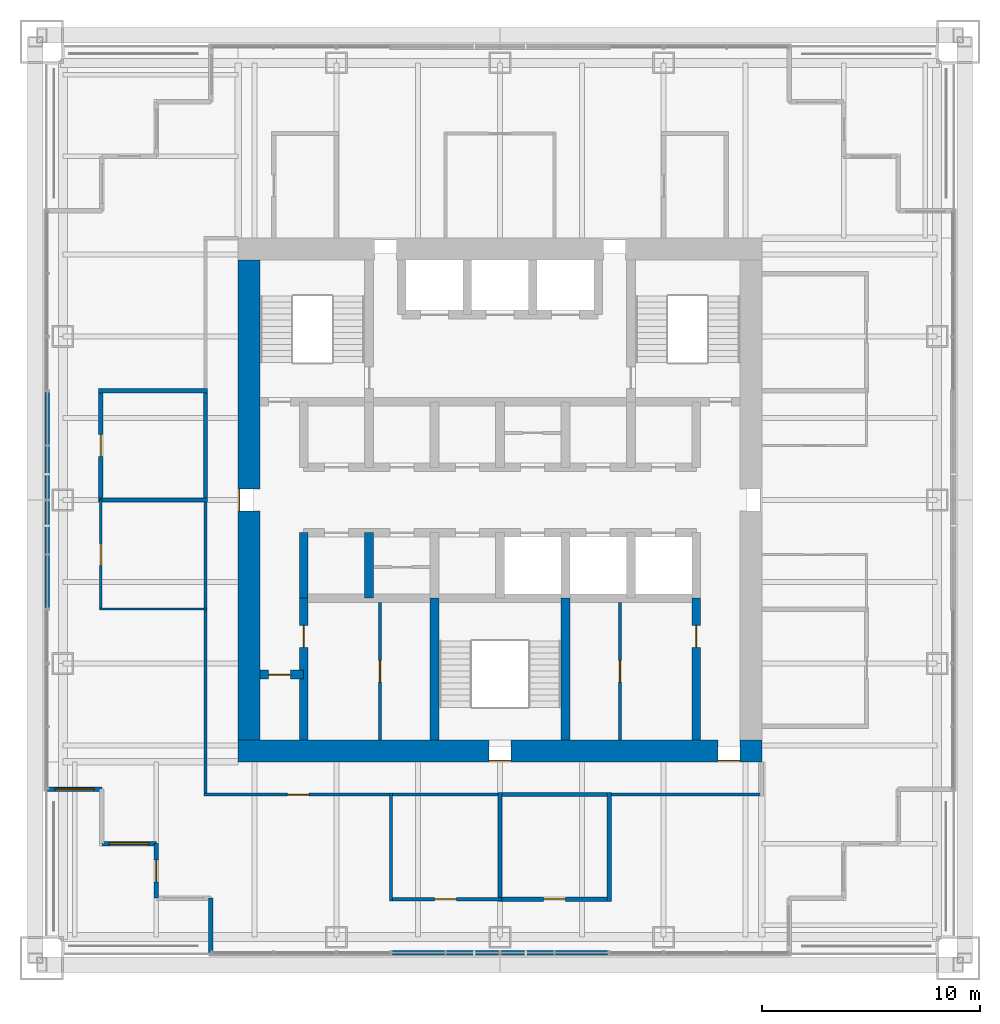
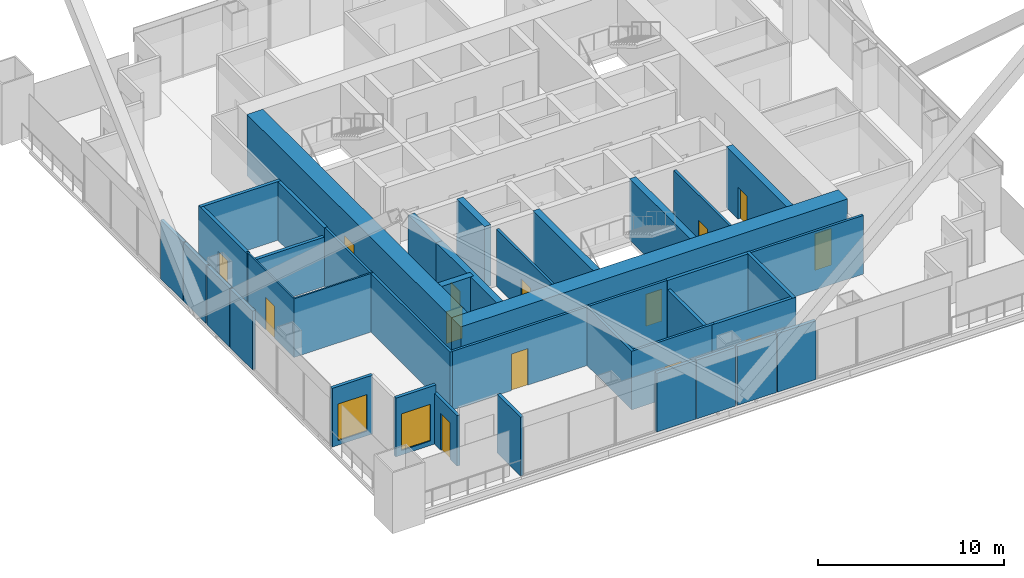
# One storey, part 12 of 17: 38 walls, 14 doors, 2 windows, 16 openings.
"""IFC4 building model written with IfcOpenShell, lengths in metres."""

from ifc_helpers import new_model, si_unit, direction, frame, frame_2d, origin, place, context, subcontext, project, spatial, rectangle, extrude, material, layer, layer_set, type_object, element, fill, save


model = new_model("IFC4")

# Units and contexts
model_context = context("Model", 3, precision=1e-05, world=origin(), true_north=direction((0.0, 1.0)))
body_context = subcontext(model_context, "Body", "Model", "MODEL_VIEW")
ifc_project = project(units=[si_unit("LENGTHUNIT", "METRE"), si_unit("AREAUNIT", "SQUARE_METRE"), si_unit("VOLUMEUNIT", "CUBIC_METRE"), si_unit("PLANEANGLEUNIT", "RADIAN"), si_unit("MASSUNIT", "GRAM", prefix="KILO")], contexts=[model_context])

# Site, building, storey
site_placement = place(None, origin())
site = spatial("IfcSite", under=ifc_project, at=site_placement, CompositionType="ELEMENT")
building_placement = place(site_placement, origin())
building = spatial("IfcBuilding", under=site, at=building_placement, Name="Tarangal Relay Tower", CompositionType="ELEMENT")
storey_placement = place(building_placement, frame((0.0, 0.0, 315.89990234375)))
storey = spatial("IfcBuildingStorey", under=building, at=storey_placement, Name="L70", CompositionType="ELEMENT", Elevation=315.89990234375)

# Wall, opening, door
ifc_material_1 = material(Name="Two layers gypsum board each side on twin steel studs, mineral wool", Category="steel")
ifc_layer_1 = layer(ifc_material_1, 0.199951171875)
ifc_layer_set_1 = layer_set([ifc_layer_1], Name="Acoustic partition 200")
wall_type_1 = type_object("IfcWallType", Name="Acoustic partition 200", PredefinedType="PARTITIONING", material=ifc_layer_set_1)
wall_1_placement = place(storey_placement, frame((-0.10009765625, -18.300048828125, 0.0), z_axis=(0.0, 0.0, 1.0), x_axis=(1.0, 0.0, 0.0)))
wall_1 = element("IfcWall", 1, at=wall_1_placement, inside=storey, type_object=wall_type_1, Name="Partition PT2 L70", PredefinedType="PARTITIONING", context=body_context, shape_type="SweptSolid", body=[
    extrude(rectangle(XDim=5.2001953125, YDim=0.199951171875, at=frame_2d((2.60009765625, 0.0))), origin(), (0.0, 0.0, 1.0), 3.85009765625),
])
opening_1_placement = place(wall_1_placement, frame((2.10009765625, 0.0, 0.0)))
opening_1 = element("IfcOpeningElement", 2, at=opening_1_placement, cuts=wall_1, Name="Opening D2", PredefinedType="OPENING", context=body_context, shape_type="SweptSolid", body=[
    extrude(rectangle(XDim=1.0, YDim=2.10009765625, at=frame_2d((0.5, 1.050048828125))), frame((0.0, 0.10986328125, 0.0), z_axis=(0.0, -1.0, 0.0), x_axis=(1.0, 0.0, 0.0)), (0.0, 0.0, 1.0), 0.219970703125),
])
ifc_material_2 = material(Name="Hardwood door", Category="wood")
door_type_1 = type_object("IfcDoorType", Name="Door 1000 x 2100", OperationType="SINGLE_SWING_LEFT", PredefinedType="DOOR", material=ifc_material_2)
door_1_placement = place(opening_1_placement, origin())
door_1 = element("IfcDoor", 3, at=door_1_placement, inside=storey, type_object=door_type_1, Name="Door D2 to quiet room L70-09", OperationType="SINGLE_SWING_LEFT", OverallHeight=2.10009765625, OverallWidth=1.0, PredefinedType="DOOR", context=body_context, shape_type="SweptSolid", body=[
    extrude(rectangle(XDim=1.0, YDim=2.10009765625, at=frame_2d((0.5, 1.050048828125))), frame((0.0, 0.02490234375, 0.0), z_axis=(0.0, -1.0, 0.0), x_axis=(1.0, 0.0, 0.0)), (0.0, 0.0, 1.0), 0.050048828125),
])
fill(opening_1, door_1)

# Walls
wall_2_placement = place(storey_placement, frame((-0.10009765625, -13.5, 0.0), z_axis=(0.0, 0.0, 1.0), x_axis=(1.0, 0.0, 0.0)))
element("IfcWall", 4, at=wall_2_placement, inside=storey, type_object=wall_type_1, Name="Partition PT2 L70", PredefinedType="PARTITIONING", context=body_context, shape_type="SweptSolid", body=[
    extrude(rectangle(XDim=5.2001953125, YDim=0.199951171875, at=frame_2d((2.60009765625, 0.0))), origin(), (0.0, 0.0, 1.0), 3.85009765625),
])
wall_3_placement = place(storey_placement, frame((-18.39990234375, 0.0, 0.0), z_axis=(0.0, 0.0, 1.0), x_axis=(1.0, 0.0, 0.0)))
element("IfcWall", 5, at=wall_3_placement, inside=storey, type_object=wall_type_1, Name="Partition PT2 L70", PredefinedType="PARTITIONING", context=body_context, shape_type="SweptSolid", body=[
    extrude(rectangle(XDim=5.0, YDim=0.199951171875, at=frame_2d((2.5, 0.0))), origin(), (0.0, 0.0, 1.0), 3.2431640625),
])
wall_4_placement = place(storey_placement, frame((-18.39990234375, 5.0, 0.0), z_axis=(0.0, 0.0, 1.0), x_axis=(1.0, 0.0, 0.0)))
element("IfcWall", 6, at=wall_4_placement, inside=storey, type_object=wall_type_1, Name="Partition PT2 L70", PredefinedType="PARTITIONING", context=body_context, shape_type="SweptSolid", body=[
    extrude(rectangle(XDim=5.0, YDim=0.199951171875, at=frame_2d((2.5, 0.0))), origin(), (0.0, 0.0, 1.0), 3.85009765625),
])

# Wall, opening, door
wall_5_placement = place(storey_placement, frame((-18.300048828125, -0.10009765625, 0.0), z_axis=(0.0, 0.0, 1.0), x_axis=(0.0, 1.0, 0.0)))
wall_5 = element("IfcWall", 7, at=wall_5_placement, inside=storey, type_object=wall_type_1, Name="Partition PT2 L70", PredefinedType="PARTITIONING", context=body_context, shape_type="SweptSolid", body=[
    extrude(rectangle(XDim=5.2001953125, YDim=0.199951171875, at=frame_2d((2.60009765625, 0.0))), origin(), (0.0, 0.0, 1.0), 3.85009765625),
])
opening_2_placement = place(wall_5_placement, frame((2.10009765625, 0.0, 0.0)))
opening_2 = element("IfcOpeningElement", 8, at=opening_2_placement, cuts=wall_5, Name="Opening D2", PredefinedType="OPENING", context=body_context, shape_type="SweptSolid", body=[
    extrude(rectangle(XDim=1.0, YDim=2.10009765625, at=frame_2d((0.5, 1.050048828125))), frame((0.0, 0.10986328125, 0.0), z_axis=(0.0, -1.0, 0.0), x_axis=(1.0, 0.0, 0.0)), (0.0, 0.0, 1.0), 0.219970703125),
])
door_2_placement = place(opening_2_placement, origin())
door_2 = element("IfcDoor", 9, at=door_2_placement, inside=storey, type_object=door_type_1, Name="Door D2 to wellness room L70-12", OperationType="SINGLE_SWING_LEFT", OverallHeight=2.10009765625, OverallWidth=1.0, PredefinedType="DOOR", context=body_context, shape_type="SweptSolid", body=[
    extrude(rectangle(XDim=1.0, YDim=2.10009765625, at=frame_2d((0.5, 1.050048828125))), frame((0.0, 0.02490234375, 0.0), z_axis=(0.0, -1.0, 0.0), x_axis=(1.0, 0.0, 0.0)), (0.0, 0.0, 1.0), 0.050048828125),
])
fill(opening_2, door_2)

# Walls
wall_6_placement = place(storey_placement, frame((-13.5, -0.10009765625, 0.0), z_axis=(0.0, 0.0, 1.0), x_axis=(0.0, 1.0, 0.0)))
element("IfcWall", 10, at=wall_6_placement, inside=storey, type_object=wall_type_1, Name="Partition PT2 L70", PredefinedType="PARTITIONING", context=body_context, shape_type="SweptSolid", body=[
    extrude(rectangle(XDim=5.2001953125, YDim=0.199951171875, at=frame_2d((2.60009765625, 0.0))), origin(), (0.0, 0.0, 1.0), 3.85009765625),
])
wall_7_placement = place(storey_placement, frame((0.0, -18.39990234375, 0.0), z_axis=(0.0, 0.0, 1.0), x_axis=(0.0, 1.0, 0.0)))
element("IfcWall", 11, at=wall_7_placement, inside=storey, type_object=wall_type_1, Name="Partition PT2 L70", PredefinedType="PARTITIONING", context=body_context, shape_type="SweptSolid", body=[
    extrude(rectangle(XDim=5.0, YDim=0.199951171875, at=frame_2d((2.5, 0.0))), origin(), (0.0, 0.0, 1.0), 3.2431640625),
])
wall_8_placement = place(storey_placement, frame((5.0, -18.39990234375, 0.0), z_axis=(0.0, 0.0, 1.0), x_axis=(0.0, 1.0, 0.0)))
element("IfcWall", 12, at=wall_8_placement, inside=storey, type_object=wall_type_1, Name="Partition PT2 L70", PredefinedType="PARTITIONING", context=body_context, shape_type="SweptSolid", body=[
    extrude(rectangle(XDim=5.0, YDim=0.199951171875, at=frame_2d((2.5, 0.0))), origin(), (0.0, 0.0, 1.0), 3.85009765625),
])

# Wall, opening, door
ifc_material_3 = material(Name="Concrete fc' 60 MPa", Category="concrete")
ifc_layer_2 = layer(ifc_material_3, 0.39990234375)
ifc_layer_set_2 = layer_set([ifc_layer_2], Name="Core inner wall 400")
wall_type_2 = type_object("IfcWallType", Name="Core inner wall 400", PredefinedType="SHEAR", material=ifc_layer_set_2)
wall_9_placement = place(storey_placement, frame((-11.0, -8.0, 0.0), z_axis=(0.0, 0.0, 1.0), x_axis=(1.0, 0.0, 0.0)))
wall_9 = element("IfcWall", 13, at=wall_9_placement, inside=storey, type_object=wall_type_2, Name="Core wall YM8 L70", PredefinedType="SHEAR", context=body_context, shape_type="SweptSolid", body=[
    extrude(rectangle(XDim=2.0, YDim=0.39990234375, at=frame_2d((1.0, 0.0))), origin(), (0.0, 0.0, 1.0), 4.0),
])
opening_3_placement = place(wall_9_placement, frame((0.39990234375, 0.0, 0.0)))
opening_3 = element("IfcOpeningElement", 14, at=opening_3_placement, cuts=wall_9, Name="Opening D1", PredefinedType="OPENING", context=body_context, shape_type="SweptSolid", body=[
    extrude(rectangle(XDim=1.0, YDim=2.10009765625, at=frame_2d((0.5, 1.050048828125))), frame((0.0, 0.2099609375, 0.0), z_axis=(0.0, -1.0, 0.0), x_axis=(1.0, 0.0, 0.0)), (0.0, 0.0, 1.0), 0.419921875),
])
door_type_2 = type_object("IfcDoorType", Name="WC door 1000 x 2100", OperationType="SINGLE_SWING_LEFT", PredefinedType="DOOR", material=ifc_material_2)
door_3_placement = place(opening_3_placement, origin())
door_3 = element("IfcDoor", 15, at=door_3_placement, inside=storey, type_object=door_type_2, Name="Accessible WC door L70", OperationType="SINGLE_SWING_LEFT", OverallHeight=2.10009765625, OverallWidth=1.0, PredefinedType="DOOR", context=body_context, shape_type="SweptSolid", body=[
    extrude(rectangle(XDim=1.0, YDim=2.10009765625, at=frame_2d((0.5, 1.050048828125))), frame((0.0, 0.02490234375, 0.0), z_axis=(0.0, -1.0, 0.0), x_axis=(1.0, 0.0, 0.0)), (0.0, 0.0, 1.0), 0.050048828125),
])
fill(opening_3, door_3)

# Walls
for number, where, z_axis, x_axis, name in (
    (16, (-9.0, -4.5, 0.0), (0.0, 0.0, 1.0), (0.0, 1.0, 0.0), "Core wall XM9S L70"),
    (17, (-6.0, -4.5, 0.0), (0.0, 0.0, 1.0), (0.0, 1.0, 0.0), "Core wall XM6S L70"),
):
    element("IfcWall", number, at=place(storey_placement, frame(where, z_axis=z_axis, x_axis=x_axis)), inside=storey, type_object=wall_type_2, Name=name, PredefinedType="SHEAR", context=body_context, shape_type="SweptSolid", body=[
        extrude(rectangle(XDim=3.0, YDim=0.39990234375, at=frame_2d((1.5, 0.0))), origin(), (0.0, 0.0, 1.0), 4.0),
    ])

# Wall, opening, door
wall_10_placement = place(storey_placement, frame((-9.0, -11.0, 0.0), z_axis=(0.0, 0.0, 1.0), x_axis=(0.0, 1.0, 0.0)))
wall_10 = element("IfcWall", 18, at=wall_10_placement, inside=storey, type_object=wall_type_2, Name="Core wall XM9W L70", PredefinedType="SHEAR", context=body_context, shape_type="SweptSolid", body=[
    extrude(rectangle(XDim=6.5, YDim=0.39990234375, at=frame_2d((3.25, 0.0))), origin(), (0.0, 0.0, 1.0), 4.0),
])
opening_4_placement = place(wall_10_placement, frame((4.25, 0.0, 0.0)))
opening_4 = element("IfcOpeningElement", 19, at=opening_4_placement, cuts=wall_10, Name="Opening D1", PredefinedType="OPENING", context=body_context, shape_type="SweptSolid", body=[
    extrude(rectangle(XDim=1.0, YDim=2.10009765625, at=frame_2d((0.5, 1.050048828125))), frame((0.0, 0.2099609375, 0.0), z_axis=(0.0, -1.0, 0.0), x_axis=(1.0, 0.0, 0.0)), (0.0, 0.0, 1.0), 0.419921875),
])
door_4_placement = place(opening_4_placement, origin())
door_4 = element("IfcDoor", 20, at=door_4_placement, inside=storey, type_object=door_type_2, Name="Male WC door L70", OperationType="SINGLE_SWING_LEFT", OverallHeight=2.10009765625, OverallWidth=1.0, PredefinedType="DOOR", context=body_context, shape_type="SweptSolid", body=[
    extrude(rectangle(XDim=1.0, YDim=2.10009765625, at=frame_2d((0.5, 1.050048828125))), frame((0.0, 0.02490234375, 0.0), z_axis=(0.0, -1.0, 0.0), x_axis=(1.0, 0.0, 0.0)), (0.0, 0.0, 1.0), 0.050048828125),
])
fill(opening_4, door_4)

wall_11_placement = place(storey_placement, frame((9.0, -11.0, 0.0), z_axis=(0.0, 0.0, 1.0), x_axis=(0.0, 1.0, 0.0)))
wall_11 = element("IfcWall", 21, at=wall_11_placement, inside=storey, type_object=wall_type_2, Name="Core wall X9W L70", PredefinedType="SHEAR", context=body_context, shape_type="SweptSolid", body=[
    extrude(rectangle(XDim=6.5, YDim=0.39990234375, at=frame_2d((3.25, 0.0))), origin(), (0.0, 0.0, 1.0), 4.0),
])
opening_5_placement = place(wall_11_placement, frame((4.25, 0.0, 0.0)))
opening_5 = element("IfcOpeningElement", 22, at=opening_5_placement, cuts=wall_11, Name="Opening D1", PredefinedType="OPENING", context=body_context, shape_type="SweptSolid", body=[
    extrude(rectangle(XDim=1.0, YDim=2.10009765625, at=frame_2d((0.5, 1.050048828125))), frame((0.0, 0.2099609375, 0.0), z_axis=(0.0, -1.0, 0.0), x_axis=(1.0, 0.0, 0.0)), (0.0, 0.0, 1.0), 0.419921875),
])
door_5_placement = place(opening_5_placement, origin())
door_5 = element("IfcDoor", 23, at=door_5_placement, inside=storey, type_object=door_type_2, Name="Female WC door L70", OperationType="SINGLE_SWING_LEFT", OverallHeight=2.10009765625, OverallWidth=1.0, PredefinedType="DOOR", context=body_context, shape_type="SweptSolid", body=[
    extrude(rectangle(XDim=1.0, YDim=2.10009765625, at=frame_2d((0.5, 1.050048828125))), frame((0.0, 0.02490234375, 0.0), z_axis=(0.0, -1.0, 0.0), x_axis=(1.0, 0.0, 0.0)), (0.0, 0.0, 1.0), 0.050048828125),
])
fill(opening_5, door_5)

# Walls
for number, where, z_axis, x_axis, name in (
    (24, (-3.0, -11.0, 0.0), (0.0, 0.0, 1.0), (0.0, 1.0, 0.0), "Core wall XM3W L70"),
    (25, (3.0, -11.0, 0.0), (0.0, 0.0, 1.0), (0.0, 1.0, 0.0), "Core wall X3W L70"),
):
    element("IfcWall", number, at=place(storey_placement, frame(where, z_axis=z_axis, x_axis=x_axis)), inside=storey, type_object=wall_type_2, Name=name, PredefinedType="SHEAR", context=body_context, shape_type="SweptSolid", body=[
        extrude(rectangle(XDim=6.5, YDim=0.39990234375, at=frame_2d((3.25, 0.0))), origin(), (0.0, 0.0, 1.0), 4.0),
    ])

# Wall, openings, doors
ifc_layer_3 = layer(ifc_material_3, 1.0)
ifc_layer_set_3 = layer_set([ifc_layer_3], Name="Core wall 1000")
wall_type_3 = type_object("IfcWallType", Name="Core wall 1000", PredefinedType="SHEAR", material=ifc_layer_set_3)
wall_12_placement = place(storey_placement, frame((12.0, -11.5, 0.0), z_axis=(0.0, 0.0, 1.0), x_axis=(-1.0, 0.0, 0.0)))
wall_12 = element("IfcWall", 26, at=wall_12_placement, inside=storey, type_object=wall_type_3, Name="Core wall S L70", PredefinedType="SHEAR", context=body_context, shape_type="SweptSolid", body=[
    extrude(rectangle(XDim=24.0, YDim=1.0, at=frame_2d((12.0, 0.0))), origin(), (0.0, 0.0, 1.0), 4.0),
])
opening_6_placement = place(wall_12_placement, frame((11.5, 0.0, 0.0)))
opening_6 = element("IfcOpeningElement", 27, at=opening_6_placement, cuts=wall_12, Name="Opening FD1", PredefinedType="OPENING", context=body_context, shape_type="SweptSolid", body=[
    extrude(rectangle(XDim=1.0, YDim=2.10009765625, at=frame_2d((0.5, 1.050048828125))), frame((0.0, 0.510009765625, 0.0), z_axis=(0.0, -1.0, 0.0), x_axis=(1.0, 0.0, 0.0)), (0.0, 0.0, 1.0), 1.02001953125),
])
opening_7_placement = place(wall_12_placement, frame((1.0, 0.0, 0.0)))
opening_7 = element("IfcOpeningElement", 28, at=opening_7_placement, cuts=wall_12, Name="Opening FD3", PredefinedType="OPENING", context=body_context, shape_type="SweptSolid", body=[
    extrude(rectangle(XDim=1.0, YDim=2.39990234375, at=frame_2d((0.5, 1.199951171875))), frame((0.0, 0.510009765625, 0.0), z_axis=(0.0, -1.0, 0.0), x_axis=(1.0, 0.0, 0.0)), (0.0, 0.0, 1.0), 1.02001953125),
])
ifc_material_4 = material(Name="Steel door with hardwood frame", Category="steel")
door_type_3 = type_object("IfcDoorType", Name="Fire door 1000 x 2100", OperationType="SINGLE_SWING_LEFT", PredefinedType="DOOR", material=ifc_material_4)
door_6_placement = place(opening_6_placement, origin())
door_6 = element("IfcDoor", 29, at=door_6_placement, inside=storey, type_object=door_type_3, Name="Stair ST-C door L70", OperationType="SINGLE_SWING_LEFT", OverallHeight=2.10009765625, OverallWidth=1.0, PredefinedType="DOOR", context=body_context, shape_type="SweptSolid", body=[
    extrude(rectangle(XDim=1.0, YDim=2.10009765625, at=frame_2d((0.5, 1.050048828125))), frame((0.0, 0.48486328125, 0.0), z_axis=(0.0, -1.0, 0.0), x_axis=(1.0, 0.0, 0.0)), (0.0, 0.0, 1.0), 0.050048828125),
])
fill(opening_6, door_6)
door_type_4 = type_object("IfcDoorType", Name="Fire door 1000 x 2400 core entry", OperationType="SINGLE_SWING_RIGHT", PredefinedType="DOOR", material=ifc_material_4)
door_7_placement = place(opening_7_placement, origin())
door_7 = element("IfcDoor", 30, at=door_7_placement, inside=storey, type_object=door_type_4, Name="Core entry door south east L70", OperationType="SINGLE_SWING_RIGHT", OverallHeight=2.39990234375, OverallWidth=1.0, PredefinedType="DOOR", context=body_context, shape_type="SweptSolid", body=[
    extrude(rectangle(XDim=1.0, YDim=2.39990234375, at=frame_2d((0.5, 1.199951171875))), frame((0.0, 0.48486328125, 0.0), z_axis=(0.0, -1.0, 0.0), x_axis=(1.0, 0.0, 0.0)), (0.0, 0.0, 1.0), 0.050048828125),
])
fill(opening_7, door_7)

# Wall, opening, door
wall_13_placement = place(storey_placement, frame((-11.5, -11.0, 0.0), z_axis=(0.0, 0.0, 1.0), x_axis=(0.0, 1.0, 0.0)))
wall_13 = element("IfcWall", 31, at=wall_13_placement, inside=storey, type_object=wall_type_3, Name="Core wall W L70", PredefinedType="SHEAR", context=body_context, shape_type="SweptSolid", body=[
    extrude(rectangle(XDim=22.0, YDim=1.0, at=frame_2d((11.0, 0.0))), origin(), (0.0, 0.0, 1.0), 4.0),
])
opening_8_placement = place(wall_13_placement, frame((10.5, 0.0, 0.0)))
opening_8 = element("IfcOpeningElement", 32, at=opening_8_placement, cuts=wall_13, Name="Opening FD3", PredefinedType="OPENING", context=body_context, shape_type="SweptSolid", body=[
    extrude(rectangle(XDim=1.0, YDim=2.39990234375, at=frame_2d((0.5, 1.199951171875))), frame((0.0, 0.510009765625, 0.0), z_axis=(0.0, -1.0, 0.0), x_axis=(1.0, 0.0, 0.0)), (0.0, 0.0, 1.0), 1.02001953125),
])
door_8_placement = place(opening_8_placement, origin())
door_8 = element("IfcDoor", 33, at=door_8_placement, inside=storey, type_object=door_type_4, Name="Core entry door west L70", OperationType="SINGLE_SWING_RIGHT", OverallHeight=2.39990234375, OverallWidth=1.0, PredefinedType="DOOR", context=body_context, shape_type="SweptSolid", body=[
    extrude(rectangle(XDim=1.0, YDim=2.39990234375, at=frame_2d((0.5, 1.199951171875))), frame((0.0, 0.48486328125, 0.0), z_axis=(0.0, -1.0, 0.0), x_axis=(1.0, 0.0, 0.0)), (0.0, 0.0, 1.0), 0.050048828125),
])
fill(opening_8, door_8)

# Wall
ifc_material_5 = material(Name="Black metal clad insulated wall", Category="steel")
ifc_layer_4 = layer(ifc_material_5, 0.199951171875)
ifc_layer_set_4 = layer_set([ifc_layer_4], Name="Corner wall metal clad 200")
wall_type_4 = type_object("IfcWallType", Name="Corner wall metal clad 200", PredefinedType="SOLIDWALL", material=ifc_layer_set_4)
wall_14_placement = place(storey_placement, frame((-13.25, -20.75, 0.0), z_axis=(0.0, 0.0, 1.0), x_axis=(0.0, 1.0, 0.0)))
element("IfcWall", 34, at=wall_14_placement, inside=storey, type_object=wall_type_4, Name="Facade wall S facade L70", PredefinedType="SOLIDWALL", context=body_context, shape_type="SweptSolid", body=[
    extrude(rectangle(XDim=2.5, YDim=0.199951171875, at=frame_2d((1.25, 0.0))), origin(), (0.0, 0.0, 1.0), 3.85009765625),
])

# Wall, opening, door
wall_15_placement = place(storey_placement, frame((-15.75, -18.25, 0.0), z_axis=(0.0, 0.0, 1.0), x_axis=(0.0, 1.0, 0.0)))
wall_15 = element("IfcWall", 35, at=wall_15_placement, inside=storey, type_object=wall_type_4, Name="Facade wall S facade L70", PredefinedType="SOLIDWALL", context=body_context, shape_type="SweptSolid", body=[
    extrude(rectangle(XDim=2.5, YDim=0.199951171875, at=frame_2d((1.25, 0.0))), origin(), (0.0, 0.0, 1.0), 3.316650390625),
])
opening_9_placement = place(wall_15_placement, frame((0.75, 0.0, 0.0)))
opening_9 = element("IfcOpeningElement", 36, at=opening_9_placement, cuts=wall_15, Name="Opening TD1", PredefinedType="OPENING", context=body_context, shape_type="SweptSolid", body=[
    extrude(rectangle(XDim=1.0, YDim=2.39990234375, at=frame_2d((0.5, 1.199951171875))), frame((0.0, 0.10986328125, 0.0), z_axis=(0.0, -1.0, 0.0), x_axis=(1.0, 0.0, 0.0)), (0.0, 0.0, 1.0), 0.219970703125),
])
ifc_material_6 = material(Name="Aluminium glazed door", Category="aluminium")
door_type_5 = type_object("IfcDoorType", Name="Terrace door 1000 x 2400", OperationType="SINGLE_SWING_RIGHT", PredefinedType="DOOR", material=ifc_material_6)
door_9_placement = place(opening_9_placement, origin())
door_9 = element("IfcDoor", 37, at=door_9_placement, inside=storey, type_object=door_type_5, Name="Terrace door TD1 SW L70", OperationType="SINGLE_SWING_RIGHT", OverallHeight=2.39990234375, OverallWidth=1.0, PredefinedType="DOOR", context=body_context, shape_type="SweptSolid", body=[
    extrude(rectangle(XDim=1.0, YDim=2.39990234375, at=frame_2d((0.5, 1.199951171875))), frame((0.0, 0.02490234375, 0.0), z_axis=(0.0, -1.0, 0.0), x_axis=(1.0, 0.0, 0.0)), (0.0, 0.0, 1.0), 0.050048828125),
])
fill(opening_9, door_9)

# Wall, opening, window
wall_16_placement = place(storey_placement, frame((-15.75, -15.75, 0.0), z_axis=(0.0, 0.0, 1.0), x_axis=(-1.0, 0.0, 0.0)))
wall_16 = element("IfcWall", 38, at=wall_16_placement, inside=storey, type_object=wall_type_4, Name="Facade wall S facade L70", PredefinedType="SOLIDWALL", context=body_context, shape_type="SweptSolid", body=[
    extrude(rectangle(XDim=2.5, YDim=0.199951171875, at=frame_2d((1.25, 0.0))), origin(), (0.0, 0.0, 1.0), 3.85009765625),
])
opening_10_placement = place(wall_16_placement, frame((0.35009765625, 0.0, 0.300048828125)))
opening_10 = element("IfcOpeningElement", 39, at=opening_10_placement, cuts=wall_16, Name="Opening WN2", PredefinedType="OPENING", context=body_context, shape_type="SweptSolid", body=[
    extrude(rectangle(XDim=1.800048828125, YDim=2.39990234375, at=frame_2d((0.89990234375, 1.199951171875))), frame((0.0, 0.10986328125, 0.0), z_axis=(0.0, -1.0, 0.0), x_axis=(1.0, 0.0, 0.0)), (0.0, 0.0, 1.0), 0.219970703125),
])
ifc_material_7 = material(Name="Dark tinted double glazing in black aluminium frame", Category="aluminium")
window_type = type_object("IfcWindowType", Name="Corner window 1800 x 2400", PartitioningType="SINGLE_PANEL", PredefinedType="WINDOW", material=ifc_material_7)
window_1_placement = place(opening_10_placement, origin())
window_1 = element("IfcWindow", 40, at=window_1_placement, inside=storey, type_object=window_type, Name="Corner window WN2 S facade L70", OverallHeight=2.39990234375, OverallWidth=1.800048828125, PartitioningType="SINGLE_PANEL", PredefinedType="WINDOW", context=body_context, shape_type="SweptSolid", body=[
    extrude(rectangle(XDim=1.800048828125, YDim=2.39990234375, at=frame_2d((0.89990234375, 1.199951171875))), frame((0.0, 0.030029296875, 0.0), z_axis=(0.0, -1.0, 0.0), x_axis=(1.0, 0.0, 0.0)), (0.0, 0.0, 1.0), 0.06005859375),
])
fill(opening_10, window_1)

wall_17_placement = place(storey_placement, frame((-18.25, -13.25, 0.0), z_axis=(0.0, 0.0, 1.0), x_axis=(-1.0, 0.0, 0.0)))
wall_17 = element("IfcWall", 41, at=wall_17_placement, inside=storey, type_object=wall_type_4, Name="Facade wall S facade L70", PredefinedType="SOLIDWALL", context=body_context, shape_type="SweptSolid", body=[
    extrude(rectangle(XDim=2.5, YDim=0.199951171875, at=frame_2d((1.25, 0.0))), origin(), (0.0, 0.0, 1.0), 3.85009765625),
])
opening_11_placement = place(wall_17_placement, frame((0.35009765625, 0.0, 0.300048828125)))
opening_11 = element("IfcOpeningElement", 42, at=opening_11_placement, cuts=wall_17, Name="Opening WN2", PredefinedType="OPENING", context=body_context, shape_type="SweptSolid", body=[
    extrude(rectangle(XDim=1.800048828125, YDim=2.39990234375, at=frame_2d((0.89990234375, 1.199951171875))), frame((0.0, 0.10986328125, 0.0), z_axis=(0.0, -1.0, 0.0), x_axis=(1.0, 0.0, 0.0)), (0.0, 0.0, 1.0), 0.219970703125),
])
window_2_placement = place(opening_11_placement, origin())
window_2 = element("IfcWindow", 43, at=window_2_placement, inside=storey, type_object=window_type, Name="Corner window WN2 S facade L70", OverallHeight=2.39990234375, OverallWidth=1.800048828125, PartitioningType="SINGLE_PANEL", PredefinedType="WINDOW", context=body_context, shape_type="SweptSolid", body=[
    extrude(rectangle(XDim=1.800048828125, YDim=2.39990234375, at=frame_2d((0.89990234375, 1.199951171875))), frame((0.0, 0.030029296875, 0.0), z_axis=(0.0, -1.0, 0.0), x_axis=(1.0, 0.0, 0.0)), (0.0, 0.0, 1.0), 0.06005859375),
])
fill(opening_11, window_2)

# Walls
ifc_layer_5 = layer(ifc_material_5, 0.199951171875)
ifc_layer_set_5 = layer_set([ifc_layer_5], Name="Facade infill wall metal clad 200")
wall_type_5 = type_object("IfcWallType", Name="Facade infill wall metal clad 200", PredefinedType="SOLIDWALL", material=ifc_layer_set_5)
for number, where, z_axis, x_axis, name in (
    (44, (4.93994140625, -20.75, 0.0), (0.0, 0.0, 1.0), (-1.0, 0.0, 0.0), "Facade infill wall S facade L70 1.1"),
    (45, (2.469970703125, -20.75, 0.0), (0.0, 0.0, 1.0), (-1.0, 0.0, 0.0), "Facade infill wall S facade L70 2.1"),
    (46, (-0.06005859375, -20.75, 0.0), (0.0, 0.0, 1.0), (-1.0, 0.0, 0.0), "Facade infill wall S facade L70 1.1"),
    (47, (-2.530029296875, -20.75, 0.0), (0.0, 0.0, 1.0), (-1.0, 0.0, 0.0), "Facade infill wall S facade L70 2.1"),
    (48, (-20.75, -4.93994140625, 0.0), (0.0, 0.0, 1.0), (0.0, 1.0, 0.0), "Facade infill wall W facade L70 1.1"),
    (49, (-20.75, -2.469970703125, 0.0), (0.0, 0.0, 1.0), (0.0, 1.0, 0.0), "Facade infill wall W facade L70 2.1"),
    (50, (-20.75, 0.06005859375, 0.0), (0.0, 0.0, 1.0), (0.0, 1.0, 0.0), "Facade infill wall W facade L70 1.1"),
    (51, (-20.75, 2.530029296875, 0.0), (0.0, 0.0, 1.0), (0.0, 1.0, 0.0), "Facade infill wall W facade L70 2.1"),
):
    element("IfcWall", number, at=place(storey_placement, frame(where, z_axis=z_axis, x_axis=x_axis)), inside=storey, type_object=wall_type_5, Name=name, PredefinedType="SOLIDWALL", context=body_context, shape_type="SweptSolid", body=[
        extrude(rectangle(XDim=2.409912109375, YDim=0.199951171875, at=frame_2d((1.205078125, 0.0))), origin(), (0.0, 0.0, 1.0), 3.85009765625),
    ])
ifc_material_8 = material(Name="Double glazed aluminium framed partition", Category="aluminium")
ifc_layer_6 = layer(ifc_material_8, 0.10009765625)
ifc_layer_set_6 = layer_set([ifc_layer_6], Name="Glazed partition 100")
wall_type_6 = type_object("IfcWallType", Name="Glazed partition 100", PredefinedType="PARTITIONING", material=ifc_layer_set_6)
wall_18_placement = place(storey_placement, frame((-18.35009765625, -5.0, 0.0), z_axis=(0.0, 0.0, 1.0), x_axis=(1.0, 0.0, 0.0)))
element("IfcWall", 52, at=wall_18_placement, inside=storey, type_object=wall_type_6, Name="Partition PT3 L70", PredefinedType="PARTITIONING", context=body_context, shape_type="SweptSolid", body=[
    extrude(rectangle(XDim=4.900146484375, YDim=0.10009765625, at=frame_2d((2.4501953125, 0.0))), origin(), (0.0, 0.0, 1.0), 3.85009765625),
])

# Wall, opening, door
wall_19_placement = place(storey_placement, frame((-18.300048828125, -5.050048828125, 0.0), z_axis=(0.0, 0.0, 1.0), x_axis=(0.0, 1.0, 0.0)))
wall_19 = element("IfcWall", 53, at=wall_19_placement, inside=storey, type_object=wall_type_6, Name="Partition PT3 L70", PredefinedType="PARTITIONING", context=body_context, shape_type="SweptSolid", body=[
    extrude(rectangle(XDim=5.10009765625, YDim=0.10009765625, at=frame_2d((2.550048828125, 0.0))), origin(), (0.0, 0.0, 1.0), 3.85009765625),
])
opening_12_placement = place(wall_19_placement, frame((2.050048828125, 0.0, 0.0)))
opening_12 = element("IfcOpeningElement", 54, at=opening_12_placement, cuts=wall_19, Name="Opening D3", PredefinedType="OPENING", context=body_context, shape_type="SweptSolid", body=[
    extrude(rectangle(XDim=1.0, YDim=2.10009765625, at=frame_2d((0.5, 1.050048828125))), frame((0.0, 0.06005859375, 0.0), z_axis=(0.0, -1.0, 0.0), x_axis=(1.0, 0.0, 0.0)), (0.0, 0.0, 1.0), 0.1201171875),
])
ifc_material_9 = material(Name="Frameless glass door", Category="glass")
door_type_6 = type_object("IfcDoorType", Name="Glazed door 1000 x 2100", OperationType="SINGLE_SWING_LEFT", PredefinedType="DOOR", material=ifc_material_9)
door_10_placement = place(opening_12_placement, origin())
door_10 = element("IfcDoor", 55, at=door_10_placement, inside=storey, type_object=door_type_6, Name="Door D3 to team room L70-11", OperationType="SINGLE_SWING_LEFT", OverallHeight=2.10009765625, OverallWidth=1.0, PredefinedType="DOOR", context=body_context, shape_type="SweptSolid", body=[
    extrude(rectangle(XDim=1.0, YDim=2.10009765625, at=frame_2d((0.5, 1.050048828125))), frame((0.0, 0.02490234375, 0.0), z_axis=(0.0, -1.0, 0.0), x_axis=(1.0, 0.0, 0.0)), (0.0, 0.0, 1.0), 0.050048828125),
])
fill(opening_12, door_10)

ifc_material_10 = material(Name="Gypsum board on steel studs", Category="steel")
ifc_layer_7 = layer(ifc_material_10, 0.14990234375)
ifc_layer_set_7 = layer_set([ifc_layer_7], Name="Partition 150")
wall_type_7 = type_object("IfcWallType", Name="Partition 150", PredefinedType="PARTITIONING", material=ifc_layer_set_7)
wall_20_placement = place(storey_placement, frame((-5.074951171875, -18.300048828125, 0.0), z_axis=(0.0, 0.0, 1.0), x_axis=(1.0, 0.0, 0.0)))
wall_20 = element("IfcWall", 56, at=wall_20_placement, inside=storey, type_object=wall_type_7, Name="Partition PT1 L70", PredefinedType="PARTITIONING", context=body_context, shape_type="SweptSolid", body=[
    extrude(rectangle(XDim=5.14990234375, YDim=0.14990234375, at=frame_2d((2.574951171875, 0.0))), origin(), (0.0, 0.0, 1.0), 3.85009765625),
])
opening_13_placement = place(wall_20_placement, frame((2.074951171875, 0.0, 0.0)))
opening_13 = element("IfcOpeningElement", 57, at=opening_13_placement, cuts=wall_20, Name="Opening D2", PredefinedType="OPENING", context=body_context, shape_type="SweptSolid", body=[
    extrude(rectangle(XDim=1.0, YDim=2.10009765625, at=frame_2d((0.5, 1.050048828125))), frame((0.0, 0.0849609375, 0.0), z_axis=(0.0, -1.0, 0.0), x_axis=(1.0, 0.0, 0.0)), (0.0, 0.0, 1.0), 0.169921875),
])
door_11_placement = place(opening_13_placement, origin())
door_11 = element("IfcDoor", 58, at=door_11_placement, inside=storey, type_object=door_type_1, Name="Door D2 to print room L70-10", OperationType="SINGLE_SWING_LEFT", OverallHeight=2.10009765625, OverallWidth=1.0, PredefinedType="DOOR", context=body_context, shape_type="SweptSolid", body=[
    extrude(rectangle(XDim=1.0, YDim=2.10009765625, at=frame_2d((0.5, 1.050048828125))), frame((0.0, 0.02490234375, 0.0), z_axis=(0.0, -1.0, 0.0), x_axis=(1.0, 0.0, 0.0)), (0.0, 0.0, 1.0), 0.050048828125),
])
fill(opening_13, door_11)

wall_21_placement = place(storey_placement, frame((-13.574951171875, -13.5, 0.0), z_axis=(0.0, 0.0, 1.0), x_axis=(1.0, 0.0, 0.0)))
wall_21 = element("IfcWall", 59, at=wall_21_placement, inside=storey, type_object=wall_type_7, Name="Partition PT1 L70", PredefinedType="PARTITIONING", context=body_context, shape_type="SweptSolid", body=[
    extrude(rectangle(XDim=13.64990234375, YDim=0.14990234375, at=frame_2d((6.824951171875, 0.0))), origin(), (0.0, 0.0, 1.0), 3.85009765625),
])
opening_14_placement = place(wall_21_placement, frame((3.824951171875, 0.0, 0.0)))
opening_14 = element("IfcOpeningElement", 60, at=opening_14_placement, cuts=wall_21, Name="Opening SD1", PredefinedType="OPENING", context=body_context, shape_type="SweptSolid", body=[
    extrude(rectangle(XDim=1.0, YDim=2.39990234375, at=frame_2d((0.5, 1.199951171875))), frame((0.0, 0.0849609375, 0.0), z_axis=(0.0, -1.0, 0.0), x_axis=(1.0, 0.0, 0.0)), (0.0, 0.0, 1.0), 0.169921875),
])
door_type_7 = type_object("IfcDoorType", Name="Suite entrance door 1000 x 2400", OperationType="SINGLE_SWING_RIGHT", PredefinedType="DOOR", material=ifc_material_4)
door_12_placement = place(opening_14_placement, origin())
door_12 = element("IfcDoor", 61, at=door_12_placement, inside=storey, type_object=door_type_7, Name="Door SD1 to open plan office L70-13", OperationType="SINGLE_SWING_RIGHT", OverallHeight=2.39990234375, OverallWidth=1.0, PredefinedType="DOOR", context=body_context, shape_type="SweptSolid", body=[
    extrude(rectangle(XDim=1.0, YDim=2.39990234375, at=frame_2d((0.5, 1.199951171875))), frame((0.0, 0.02490234375, 0.0), z_axis=(0.0, -1.0, 0.0), x_axis=(1.0, 0.0, 0.0)), (0.0, 0.0, 1.0), 0.050048828125),
])
fill(opening_14, door_12)

# Walls
wall_22_placement = place(storey_placement, frame((4.925048828125, -13.5, 0.0), z_axis=(0.0, 0.0, 1.0), x_axis=(1.0, 0.0, 0.0)))
element("IfcWall", 62, at=wall_22_placement, inside=storey, type_object=wall_type_7, Name="Partition PT1 L70", PredefinedType="PARTITIONING", context=body_context, shape_type="SweptSolid", body=[
    extrude(rectangle(XDim=7.14990234375, YDim=0.14990234375, at=frame_2d((3.574951171875, 0.0))), origin(), (0.0, 0.0, 1.0), 3.85009765625),
])
wall_23_placement = place(storey_placement, frame((-13.5, -13.574951171875, 0.0), z_axis=(0.0, 0.0, 1.0), x_axis=(0.0, 1.0, 0.0)))
element("IfcWall", 63, at=wall_23_placement, inside=storey, type_object=wall_type_7, Name="Partition PT1 L70", PredefinedType="PARTITIONING", context=body_context, shape_type="SweptSolid", body=[
    extrude(rectangle(XDim=13.64990234375, YDim=0.14990234375, at=frame_2d((6.824951171875, 0.0))), origin(), (0.0, 0.0, 1.0), 3.85009765625),
])
wall_24_placement = place(storey_placement, frame((-5.0, -18.375, 0.0), z_axis=(0.0, 0.0, 1.0), x_axis=(0.0, 1.0, 0.0)))
element("IfcWall", 64, at=wall_24_placement, inside=storey, type_object=wall_type_7, Name="Partition PT1 L70", PredefinedType="PARTITIONING", context=body_context, shape_type="SweptSolid", body=[
    extrude(rectangle(XDim=4.949951171875, YDim=0.14990234375, at=frame_2d((2.47509765625, 0.0))), origin(), (0.0, 0.0, 1.0), 3.85009765625),
])

# Wall, opening, door
wall_25_placement = place(storey_placement, frame((-5.5, -11.0, 0.0), z_axis=(0.0, 0.0, 1.0), x_axis=(0.0, 1.0, 0.0)))
wall_25 = element("IfcWall", 65, at=wall_25_placement, inside=storey, type_object=wall_type_7, Name="Partition PT1 L70", PredefinedType="PARTITIONING", context=body_context, shape_type="SweptSolid", body=[
    extrude(rectangle(XDim=6.300048828125, YDim=0.14990234375, at=frame_2d((3.14990234375, 0.0))), origin(), (0.0, 0.0, 1.0), 3.75),
])
opening_15_placement = place(wall_25_placement, frame((2.64990234375, 0.0, 0.0)))
opening_15 = element("IfcOpeningElement", 66, at=opening_15_placement, cuts=wall_25, Name="Opening D1", PredefinedType="OPENING", context=body_context, shape_type="SweptSolid", body=[
    extrude(rectangle(XDim=1.0, YDim=2.10009765625, at=frame_2d((0.5, 1.050048828125))), frame((0.0, 0.0849609375, 0.0), z_axis=(0.0, -1.0, 0.0), x_axis=(1.0, 0.0, 0.0)), (0.0, 0.0, 1.0), 0.169921875),
])
door_13_placement = place(opening_15_placement, origin())
door_13 = element("IfcDoor", 67, at=door_13_placement, inside=storey, type_object=door_type_2, Name="Door D1 to male shower and changing room L70-C7B", OperationType="SINGLE_SWING_LEFT", OverallHeight=2.10009765625, OverallWidth=1.0, PredefinedType="DOOR", context=body_context, shape_type="SweptSolid", body=[
    extrude(rectangle(XDim=1.0, YDim=2.10009765625, at=frame_2d((0.5, 1.050048828125))), frame((0.0, 0.02490234375, 0.0), z_axis=(0.0, -1.0, 0.0), x_axis=(1.0, 0.0, 0.0)), (0.0, 0.0, 1.0), 0.050048828125),
])
fill(opening_15, door_13)

wall_26_placement = place(storey_placement, frame((5.5, -11.0, 0.0), z_axis=(0.0, 0.0, 1.0), x_axis=(0.0, 1.0, 0.0)))
wall_26 = element("IfcWall", 68, at=wall_26_placement, inside=storey, type_object=wall_type_7, Name="Partition PT1 L70", PredefinedType="PARTITIONING", context=body_context, shape_type="SweptSolid", body=[
    extrude(rectangle(XDim=6.300048828125, YDim=0.14990234375, at=frame_2d((3.14990234375, 0.0))), origin(), (0.0, 0.0, 1.0), 3.75),
])
opening_16_placement = place(wall_26_placement, frame((2.64990234375, 0.0, 0.0)))
opening_16 = element("IfcOpeningElement", 69, at=opening_16_placement, cuts=wall_26, Name="Opening D1", PredefinedType="OPENING", context=body_context, shape_type="SweptSolid", body=[
    extrude(rectangle(XDim=1.0, YDim=2.10009765625, at=frame_2d((0.5, 1.050048828125))), frame((0.0, 0.0849609375, 0.0), z_axis=(0.0, -1.0, 0.0), x_axis=(1.0, 0.0, 0.0)), (0.0, 0.0, 1.0), 0.169921875),
])
door_14_placement = place(opening_16_placement, origin())
door_14 = element("IfcDoor", 70, at=door_14_placement, inside=storey, type_object=door_type_2, Name="Door D1 to female shower and changing room L70-C10B", OperationType="SINGLE_SWING_LEFT", OverallHeight=2.10009765625, OverallWidth=1.0, PredefinedType="DOOR", context=body_context, shape_type="SweptSolid", body=[
    extrude(rectangle(XDim=1.0, YDim=2.10009765625, at=frame_2d((0.5, 1.050048828125))), frame((0.0, 0.02490234375, 0.0), z_axis=(0.0, -1.0, 0.0), x_axis=(1.0, 0.0, 0.0)), (0.0, 0.0, 1.0), 0.050048828125),
])
fill(opening_16, door_14)

save(model, "model.ifc")
